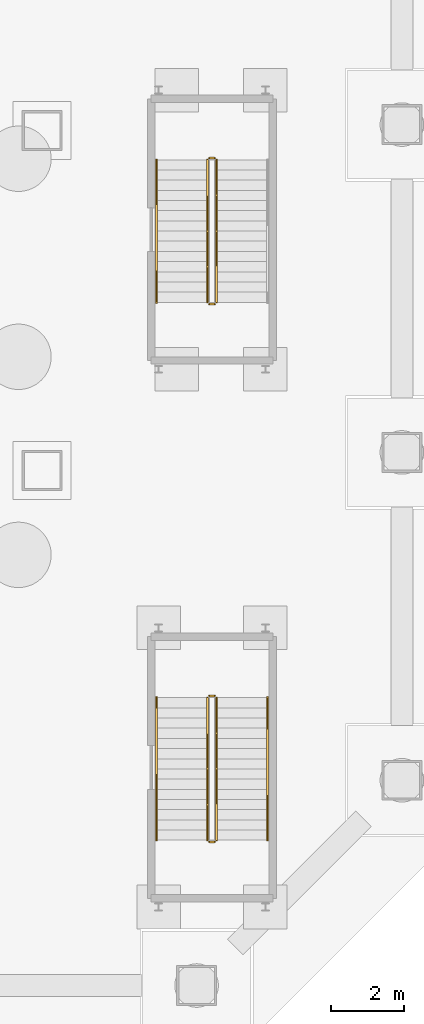
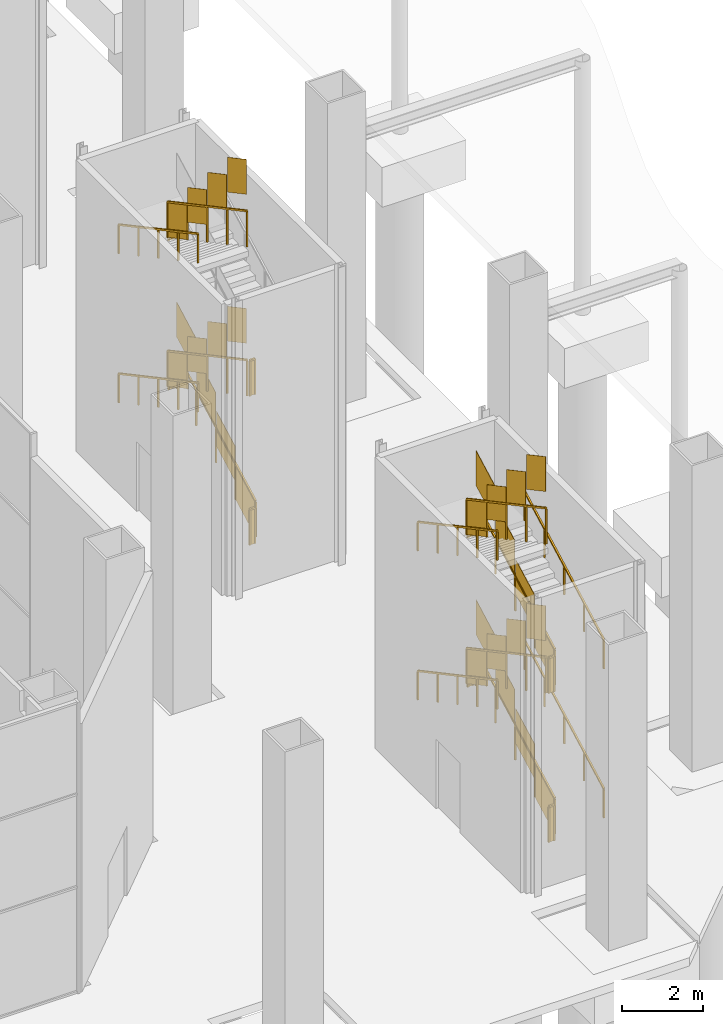
# One storey, part 35 of 38: 21 railings.
"""IFC4 building model written with IfcOpenShell, lengths in metres."""

from ifc_helpers import new_model, si_unit, direction, frame, origin, origin_2d, place, context, subcontext, project, spatial, polyline, rectangle, outline, extrude, material, type_object, element, save


model = new_model("IFC4")

# Units and contexts
model_context = context("Model", 3, precision=1e-05, world=origin(), true_north=direction((0.0, 1.0)))
body_context = subcontext(model_context, "Body", "Model", "MODEL_VIEW")
ifc_project = project(units=[si_unit("LENGTHUNIT", "METRE"), si_unit("AREAUNIT", "SQUARE_METRE"), si_unit("VOLUMEUNIT", "CUBIC_METRE"), si_unit("PLANEANGLEUNIT", "RADIAN"), si_unit("MASSUNIT", "GRAM", prefix="KILO")], contexts=[model_context])

# Site, building, storey
site_placement = place(None, origin())
site = spatial("IfcSite", under=ifc_project, at=site_placement, CompositionType="ELEMENT")
building_placement = place(site_placement, origin())
building = spatial("IfcBuilding", under=site, at=building_placement, Name="Cairn Pilgrim Tower", CompositionType="ELEMENT")
storey_placement = place(building_placement, origin())
storey = spatial("IfcBuildingStorey", under=building, at=storey_placement, Name="L00", CompositionType="ELEMENT", Elevation=0.0)

# Railings
ifc_material = material(Name="Painted steel", Category="steel")
railing_type_1 = type_object("IfcRailingType", Name="PODIUM STAIR GUARD 1100", PredefinedType="GUARDRAIL", material=ifc_material)
railing_1_placement = place(storey_placement, frame((32.699951171875, -24.199951171875, 0.14990234375)))
element("IfcRailing", 1, at=railing_1_placement, inside=storey, type_object=railing_type_1, Name="L00 ST-ES1 stair guard 1", PredefinedType="GUARDRAIL", context=body_context, shape_type="SweptSolid", body=[
    extrude(rectangle(XDim=0.048095703125, YDim=0.048095703125, at=origin_2d()), frame((0.0, 0.0, 1.076171875), z_axis=(0.0, 0.881466911329, 0.472245787945), x_axis=(-1.0, 0.0, 0.0)), (0.0, 0.0, 1.0), 4.447021484375),
    extrude(rectangle(XDim=0.0419921875, YDim=0.0419921875, at=origin_2d()), origin(), (0.0, 0.0, 1.0), 1.052001953125),
    extrude(rectangle(XDim=0.0419921875, YDim=0.0419921875, at=origin_2d()), frame((0.0, 0.97998046875, 0.52490234375)), (0.0, 0.0, 1.0), 1.052001953125),
    extrude(rectangle(XDim=0.0419921875, YDim=0.0419921875, at=origin_2d()), frame((0.0, 1.9599609375, 1.050048828125)), (0.0, 0.0, 1.0), 1.052001953125),
    extrude(rectangle(XDim=0.0419921875, YDim=0.0419921875, at=origin_2d()), frame((0.0, 2.93994140625, 1.5751953125)), (0.0, 0.0, 1.0), 1.052001953125),
    extrude(rectangle(XDim=0.0419921875, YDim=0.0419921875, at=origin_2d()), frame((0.0, 3.919921875, 2.10009765625)), (0.0, 0.0, 1.0), 1.052001953125),
    extrude(outline(polyline([(0.02099609375, 0.01123046875), (0.958984375, 0.513671875), (0.958984375, 1.565673828125), (0.02099609375, 1.063232421875), (0.02099609375, 0.01123046875)])), frame((-0.005859375, 0.0, 0.0), z_axis=(1.0, 0.0, 0.0), x_axis=(0.0, 1.0, 0.0)), (0.0, 0.0, 1.0), 0.011962890625),
    extrude(outline(polyline([(0.02099609375, 0.536376953125), (0.958984375, 1.038818359375), (0.958984375, 2.0908203125), (0.02099609375, 1.58837890625), (0.02099609375, 0.536376953125)])), frame((-0.005859375, 0.97998046875, 0.52490234375), z_axis=(1.0, 0.0, 0.0), x_axis=(0.0, 1.0, 0.0)), (0.0, 0.0, 1.0), 0.011962890625),
    extrude(outline(polyline([(0.02099609375, 1.061279296875), (0.958984375, 1.563720703125), (0.958984375, 2.61572265625), (0.02099609375, 2.11328125), (0.02099609375, 1.061279296875)])), frame((-0.005859375, 1.9599609375, 1.050048828125), z_axis=(1.0, 0.0, 0.0), x_axis=(0.0, 1.0, 0.0)), (0.0, 0.0, 1.0), 0.011962890625),
    extrude(outline(polyline([(0.02099609375, 1.58642578125), (0.958984375, 2.0888671875), (0.958984375, 3.140869140625), (0.02099609375, 2.638427734375), (0.02099609375, 1.58642578125)])), frame((-0.005859375, 2.93994140625, 1.5751953125), z_axis=(1.0, 0.0, 0.0), x_axis=(0.0, 1.0, 0.0)), (0.0, 0.0, 1.0), 0.011962890625),
])
railing_2_placement = place(storey_placement, frame((32.64990234375, -20.22998046875, 2.25)))
element("IfcRailing", 2, at=railing_2_placement, inside=storey, type_object=railing_type_1, Name="L00 ST-ES1 stair guard 2", PredefinedType="GUARDRAIL", context=body_context, shape_type="SweptSolid", body=[
    extrude(rectangle(XDim=0.048095703125, YDim=0.048095703125, at=origin_2d()), frame((0.0, 0.0, 1.076171875), z_axis=(-1.0, 0.0, 0.0), x_axis=(0.0, -1.0, 0.0)), (0.0, 0.0, 1.0), 0.14990234375),
    extrude(rectangle(XDim=0.0419921875, YDim=0.0419921875, at=origin_2d()), origin(), (0.0, 0.0, 1.0), 1.052001953125),
    extrude(rectangle(XDim=0.0419921875, YDim=0.0419921875, at=origin_2d()), frame((-0.14990234375, 0.0, 0.0)), (0.0, 0.0, 1.0), 1.052001953125),
    extrude(outline(polyline([(0.02099609375, 0.0), (0.12890625, 0.0), (0.12890625, 1.052001953125), (0.02099609375, 1.052001953125), (0.02099609375, 0.0)])), frame((0.0, -0.005859375, 0.0), z_axis=(0.0, 1.0, 0.0), x_axis=(-1.0, 0.0, 0.0)), (0.0, 0.0, 1.0), 0.011962890625),
])
railing_3_placement = place(storey_placement, frame((32.449951171875, -20.280029296875, 2.39990234375)))
element("IfcRailing", 3, at=railing_3_placement, inside=storey, type_object=railing_type_1, Name="L00 ST-ES1 stair guard 3", PredefinedType="GUARDRAIL", context=body_context, shape_type="SweptSolid", body=[
    extrude(rectangle(XDim=0.048095703125, YDim=0.048095703125, at=origin_2d()), frame((0.0, 0.0, 1.076171875), z_axis=(0.0, -0.881466911329, 0.472245787945), x_axis=(1.0, 0.0, 0.0)), (0.0, 0.0, 1.0), 4.447021484375),
    extrude(rectangle(XDim=0.0419921875, YDim=0.0419921875, at=origin_2d()), origin(), (0.0, 0.0, 1.0), 1.052001953125),
    extrude(rectangle(XDim=0.0419921875, YDim=0.0419921875, at=origin_2d()), frame((0.0, -0.97998046875, 0.52490234375)), (0.0, 0.0, 1.0), 1.052001953125),
    extrude(rectangle(XDim=0.0419921875, YDim=0.0419921875, at=origin_2d()), frame((0.0, -1.9599609375, 1.050048828125)), (0.0, 0.0, 1.0), 1.052001953125),
    extrude(rectangle(XDim=0.0419921875, YDim=0.0419921875, at=origin_2d()), frame((0.0, -2.93994140625, 1.5751953125)), (0.0, 0.0, 1.0), 1.052001953125),
    extrude(rectangle(XDim=0.0419921875, YDim=0.0419921875, at=origin_2d()), frame((0.0, -3.919921875, 2.10009765625)), (0.0, 0.0, 1.0), 1.052001953125),
    extrude(outline(polyline([(0.02099609375, 0.01123046875), (0.958984375, 0.513671875), (0.958984375, 1.565673828125), (0.02099609375, 1.063232421875), (0.02099609375, 0.01123046875)])), frame((0.005859375, 0.0, 0.0), z_axis=(-1.0, 0.0, 0.0), x_axis=(0.0, -1.0, 0.0)), (0.0, 0.0, 1.0), 0.011962890625),
    extrude(outline(polyline([(0.02099609375, 0.536376953125), (0.958984375, 1.038818359375), (0.958984375, 2.0908203125), (0.02099609375, 1.58837890625), (0.02099609375, 0.536376953125)])), frame((0.005859375, -0.97998046875, 0.52490234375), z_axis=(-1.0, 0.0, 0.0), x_axis=(0.0, -1.0, 0.0)), (0.0, 0.0, 1.0), 0.011962890625),
    extrude(outline(polyline([(0.02099609375, 1.061279296875), (0.958984375, 1.563720703125), (0.958984375, 2.61572265625), (0.02099609375, 2.11328125), (0.02099609375, 1.061279296875)])), frame((0.005859375, -1.9599609375, 1.050048828125), z_axis=(-1.0, 0.0, 0.0), x_axis=(0.0, -1.0, 0.0)), (0.0, 0.0, 1.0), 0.011962890625),
    extrude(outline(polyline([(0.02099609375, 1.58642578125), (0.958984375, 2.0888671875), (0.958984375, 3.140869140625), (0.02099609375, 2.638427734375), (0.02099609375, 1.58642578125)])), frame((0.005859375, -2.93994140625, 1.5751953125), z_axis=(-1.0, 0.0, 0.0), x_axis=(0.0, -1.0, 0.0)), (0.0, 0.0, 1.0), 0.011962890625),
])
railing_4_placement = place(storey_placement, frame((32.64990234375, -24.25, 4.5)))
element("IfcRailing", 4, at=railing_4_placement, inside=storey, type_object=railing_type_1, Name="L00 ST-ES1 stair guard 4", PredefinedType="GUARDRAIL", context=body_context, shape_type="SweptSolid", body=[
    extrude(rectangle(XDim=0.048095703125, YDim=0.048095703125, at=origin_2d()), frame((0.0, 0.0, 1.076171875), z_axis=(-1.0, 0.0, 0.0), x_axis=(0.0, -1.0, 0.0)), (0.0, 0.0, 1.0), 0.14990234375),
    extrude(rectangle(XDim=0.0419921875, YDim=0.0419921875, at=origin_2d()), origin(), (0.0, 0.0, 1.0), 1.052001953125),
    extrude(rectangle(XDim=0.0419921875, YDim=0.0419921875, at=origin_2d()), frame((-0.14990234375, 0.0, 0.0)), (0.0, 0.0, 1.0), 1.052001953125),
    extrude(outline(polyline([(0.02099609375, 0.0), (0.12890625, 0.0), (0.12890625, 1.052001953125), (0.02099609375, 1.052001953125), (0.02099609375, 0.0)])), frame((0.0, -0.005859375, 0.0), z_axis=(0.0, 1.0, 0.0), x_axis=(-1.0, 0.0, 0.0)), (0.0, 0.0, 1.0), 0.011962890625),
])
railing_5_placement = place(storey_placement, frame((32.699951171875, -24.199951171875, 4.64990234375)))
element("IfcRailing", 5, at=railing_5_placement, inside=storey, type_object=railing_type_1, Name="L00 ST-ES1 stair guard 5", PredefinedType="GUARDRAIL", context=body_context, shape_type="SweptSolid", body=[
    extrude(rectangle(XDim=0.048095703125, YDim=0.048095703125, at=origin_2d()), frame((0.0, 0.0, 1.076171875), z_axis=(0.0, 0.881466911329, 0.472245787945), x_axis=(-1.0, 0.0, 0.0)), (0.0, 0.0, 1.0), 4.447021484375),
    extrude(rectangle(XDim=0.0419921875, YDim=0.0419921875, at=origin_2d()), origin(), (0.0, 0.0, 1.0), 1.052001953125),
    extrude(rectangle(XDim=0.0419921875, YDim=0.0419921875, at=origin_2d()), frame((0.0, 0.97998046875, 0.52490234375)), (0.0, 0.0, 1.0), 1.052001953125),
    extrude(rectangle(XDim=0.0419921875, YDim=0.0419921875, at=origin_2d()), frame((0.0, 1.9599609375, 1.050048828125)), (0.0, 0.0, 1.0), 1.052001953125),
    extrude(rectangle(XDim=0.0419921875, YDim=0.0419921875, at=origin_2d()), frame((0.0, 2.93994140625, 1.5751953125)), (0.0, 0.0, 1.0), 1.052001953125),
    extrude(rectangle(XDim=0.0419921875, YDim=0.0419921875, at=origin_2d()), frame((0.0, 3.919921875, 2.10009765625)), (0.0, 0.0, 1.0), 1.052001953125),
    extrude(outline(polyline([(0.02099609375, 0.01123046875), (0.958984375, 0.513671875), (0.958984375, 1.565673828125), (0.02099609375, 1.063232421875), (0.02099609375, 0.01123046875)])), frame((-0.005859375, 0.0, 0.0), z_axis=(1.0, 0.0, 0.0), x_axis=(0.0, 1.0, 0.0)), (0.0, 0.0, 1.0), 0.011962890625),
    extrude(outline(polyline([(0.02099609375, 0.536376953125), (0.958984375, 1.038818359375), (0.958984375, 2.0908203125), (0.02099609375, 1.58837890625), (0.02099609375, 0.536376953125)])), frame((-0.005859375, 0.97998046875, 0.52490234375), z_axis=(1.0, 0.0, 0.0), x_axis=(0.0, 1.0, 0.0)), (0.0, 0.0, 1.0), 0.011962890625),
    extrude(outline(polyline([(0.02099609375, 1.061279296875), (0.958984375, 1.563720703125), (0.958984375, 2.61572265625), (0.02099609375, 2.11328125), (0.02099609375, 1.061279296875)])), frame((-0.005859375, 1.9599609375, 1.050048828125), z_axis=(1.0, 0.0, 0.0), x_axis=(0.0, 1.0, 0.0)), (0.0, 0.0, 1.0), 0.011962890625),
    extrude(outline(polyline([(0.02099609375, 1.58642578125), (0.958984375, 2.0888671875), (0.958984375, 3.140869140625), (0.02099609375, 2.638427734375), (0.02099609375, 1.58642578125)])), frame((-0.005859375, 2.93994140625, 1.5751953125), z_axis=(1.0, 0.0, 0.0), x_axis=(0.0, 1.0, 0.0)), (0.0, 0.0, 1.0), 0.011962890625),
])
railing_6_placement = place(storey_placement, frame((32.64990234375, -20.22998046875, 6.75)))
element("IfcRailing", 6, at=railing_6_placement, inside=storey, type_object=railing_type_1, Name="L00 ST-ES1 stair guard 6", PredefinedType="GUARDRAIL", context=body_context, shape_type="SweptSolid", body=[
    extrude(rectangle(XDim=0.048095703125, YDim=0.048095703125, at=origin_2d()), frame((0.0, 0.0, 1.076171875), z_axis=(-1.0, 0.0, 0.0), x_axis=(0.0, -1.0, 0.0)), (0.0, 0.0, 1.0), 0.14990234375),
    extrude(rectangle(XDim=0.0419921875, YDim=0.0419921875, at=origin_2d()), origin(), (0.0, 0.0, 1.0), 1.052001953125),
    extrude(rectangle(XDim=0.0419921875, YDim=0.0419921875, at=origin_2d()), frame((-0.14990234375, 0.0, 0.0)), (0.0, 0.0, 1.0), 1.052001953125),
    extrude(outline(polyline([(0.02099609375, 0.0), (0.12890625, 0.0), (0.12890625, 1.052001953125), (0.02099609375, 1.052001953125), (0.02099609375, 0.0)])), frame((0.0, -0.005859375, 0.0), z_axis=(0.0, 1.0, 0.0), x_axis=(-1.0, 0.0, 0.0)), (0.0, 0.0, 1.0), 0.011962890625),
])
railing_7_placement = place(storey_placement, frame((32.449951171875, -20.280029296875, 6.89990234375)))
element("IfcRailing", 7, at=railing_7_placement, inside=storey, type_object=railing_type_1, Name="L00 ST-ES1 stair guard 7", PredefinedType="GUARDRAIL", context=body_context, shape_type="SweptSolid", body=[
    extrude(rectangle(XDim=0.048095703125, YDim=0.048095703125, at=origin_2d()), frame((0.0, 0.0, 1.076171875), z_axis=(0.0, -0.881466911329, 0.472245787945), x_axis=(1.0, 0.0, 0.0)), (0.0, 0.0, 1.0), 4.447021484375),
    extrude(rectangle(XDim=0.0419921875, YDim=0.0419921875, at=origin_2d()), origin(), (0.0, 0.0, 1.0), 1.052001953125),
    extrude(rectangle(XDim=0.0419921875, YDim=0.0419921875, at=origin_2d()), frame((0.0, -0.97998046875, 0.52490234375)), (0.0, 0.0, 1.0), 1.052001953125),
    extrude(rectangle(XDim=0.0419921875, YDim=0.0419921875, at=origin_2d()), frame((0.0, -1.9599609375, 1.050048828125)), (0.0, 0.0, 1.0), 1.052001953125),
    extrude(rectangle(XDim=0.0419921875, YDim=0.0419921875, at=origin_2d()), frame((0.0, -2.93994140625, 1.5751953125)), (0.0, 0.0, 1.0), 1.052001953125),
    extrude(rectangle(XDim=0.0419921875, YDim=0.0419921875, at=origin_2d()), frame((0.0, -3.919921875, 2.10009765625)), (0.0, 0.0, 1.0), 1.052001953125),
    extrude(outline(polyline([(0.02099609375, 0.01123046875), (0.958984375, 0.513671875), (0.958984375, 1.565673828125), (0.02099609375, 1.063232421875), (0.02099609375, 0.01123046875)])), frame((0.005859375, 0.0, 0.0), z_axis=(-1.0, 0.0, 0.0), x_axis=(0.0, -1.0, 0.0)), (0.0, 0.0, 1.0), 0.011962890625),
    extrude(outline(polyline([(0.02099609375, 0.536376953125), (0.958984375, 1.038818359375), (0.958984375, 2.0908203125), (0.02099609375, 1.58837890625), (0.02099609375, 0.536376953125)])), frame((0.005859375, -0.97998046875, 0.52490234375), z_axis=(-1.0, 0.0, 0.0), x_axis=(0.0, -1.0, 0.0)), (0.0, 0.0, 1.0), 0.011962890625),
    extrude(outline(polyline([(0.02099609375, 1.061279296875), (0.958984375, 1.563720703125), (0.958984375, 2.61572265625), (0.02099609375, 2.11328125), (0.02099609375, 1.061279296875)])), frame((0.005859375, -1.9599609375, 1.050048828125), z_axis=(-1.0, 0.0, 0.0), x_axis=(0.0, -1.0, 0.0)), (0.0, 0.0, 1.0), 0.011962890625),
    extrude(outline(polyline([(0.02099609375, 1.58642578125), (0.958984375, 2.0888671875), (0.958984375, 3.140869140625), (0.02099609375, 2.638427734375), (0.02099609375, 1.58642578125)])), frame((0.005859375, -2.93994140625, 1.5751953125), z_axis=(-1.0, 0.0, 0.0), x_axis=(0.0, -1.0, 0.0)), (0.0, 0.0, 1.0), 0.011962890625),
])
railing_8_placement = place(storey_placement, frame((32.64990234375, -24.25, 0.0)))
element("IfcRailing", 8, at=railing_8_placement, inside=storey, type_object=railing_type_1, Name="L00 ST-ES1 stair guard 8", PredefinedType="GUARDRAIL", context=body_context, shape_type="SweptSolid", body=[
    extrude(rectangle(XDim=0.048095703125, YDim=0.048095703125, at=origin_2d()), frame((0.0, 0.0, 1.076171875), z_axis=(-1.0, 0.0, 0.0), x_axis=(0.0, -1.0, 0.0)), (0.0, 0.0, 1.0), 0.14990234375),
    extrude(rectangle(XDim=0.0419921875, YDim=0.0419921875, at=origin_2d()), origin(), (0.0, 0.0, 1.0), 1.052001953125),
    extrude(rectangle(XDim=0.0419921875, YDim=0.0419921875, at=origin_2d()), frame((-0.14990234375, 0.0, 0.0)), (0.0, 0.0, 1.0), 1.052001953125),
    extrude(outline(polyline([(0.02099609375, 0.0), (0.12890625, 0.0), (0.12890625, 1.052001953125), (0.02099609375, 1.052001953125), (0.02099609375, 0.0)])), frame((0.0, -0.005859375, 0.0), z_axis=(0.0, 1.0, 0.0), x_axis=(-1.0, 0.0, 0.0)), (0.0, 0.0, 1.0), 0.011962890625),
])
railing_9_placement = place(storey_placement, frame((32.699951171875, -9.39990234375, 0.14990234375)))
element("IfcRailing", 9, at=railing_9_placement, inside=storey, type_object=railing_type_1, Name="L00 ST-ES2 stair guard 1", PredefinedType="GUARDRAIL", context=body_context, shape_type="SweptSolid", body=[
    extrude(rectangle(XDim=0.048095703125, YDim=0.048095703125, at=origin_2d()), frame((0.0, 0.0, 1.076171875), z_axis=(0.0, 0.881466911329, 0.472245787945), x_axis=(-1.0, 0.0, 0.0)), (0.0, 0.0, 1.0), 4.447021484375),
    extrude(rectangle(XDim=0.0419921875, YDim=0.0419921875, at=origin_2d()), origin(), (0.0, 0.0, 1.0), 1.052001953125),
    extrude(rectangle(XDim=0.0419921875, YDim=0.0419921875, at=origin_2d()), frame((0.0, 0.97998046875, 0.52490234375)), (0.0, 0.0, 1.0), 1.052001953125),
    extrude(rectangle(XDim=0.0419921875, YDim=0.0419921875, at=origin_2d()), frame((0.0, 1.9599609375, 1.050048828125)), (0.0, 0.0, 1.0), 1.052001953125),
    extrude(rectangle(XDim=0.0419921875, YDim=0.0419921875, at=origin_2d()), frame((0.0, 2.93994140625, 1.5751953125)), (0.0, 0.0, 1.0), 1.052001953125),
    extrude(rectangle(XDim=0.0419921875, YDim=0.0419921875, at=origin_2d()), frame((0.0, 3.919921875, 2.10009765625)), (0.0, 0.0, 1.0), 1.052001953125),
    extrude(outline(polyline([(0.02099609375, 0.01123046875), (0.958984375, 0.513671875), (0.958984375, 1.565673828125), (0.02099609375, 1.063232421875), (0.02099609375, 0.01123046875)])), frame((-0.005859375, 0.0, 0.0), z_axis=(1.0, 0.0, 0.0), x_axis=(0.0, 1.0, 0.0)), (0.0, 0.0, 1.0), 0.011962890625),
    extrude(outline(polyline([(0.02099609375, 0.536376953125), (0.958984375, 1.038818359375), (0.958984375, 2.0908203125), (0.02099609375, 1.58837890625), (0.02099609375, 0.536376953125)])), frame((-0.005859375, 0.97998046875, 0.52490234375), z_axis=(1.0, 0.0, 0.0), x_axis=(0.0, 1.0, 0.0)), (0.0, 0.0, 1.0), 0.011962890625),
    extrude(outline(polyline([(0.02099609375, 1.061279296875), (0.958984375, 1.563720703125), (0.958984375, 2.61572265625), (0.02099609375, 2.11328125), (0.02099609375, 1.061279296875)])), frame((-0.005859375, 1.9599609375, 1.050048828125), z_axis=(1.0, 0.0, 0.0), x_axis=(0.0, 1.0, 0.0)), (0.0, 0.0, 1.0), 0.011962890625),
    extrude(outline(polyline([(0.02099609375, 1.58642578125), (0.958984375, 2.0888671875), (0.958984375, 3.140869140625), (0.02099609375, 2.638427734375), (0.02099609375, 1.58642578125)])), frame((-0.005859375, 2.93994140625, 1.5751953125), z_axis=(1.0, 0.0, 0.0), x_axis=(0.0, 1.0, 0.0)), (0.0, 0.0, 1.0), 0.011962890625),
])
railing_10_placement = place(storey_placement, frame((32.64990234375, -5.429931640625, 2.25)))
element("IfcRailing", 10, at=railing_10_placement, inside=storey, type_object=railing_type_1, Name="L00 ST-ES2 stair guard 2", PredefinedType="GUARDRAIL", context=body_context, shape_type="SweptSolid", body=[
    extrude(rectangle(XDim=0.048095703125, YDim=0.048095703125, at=origin_2d()), frame((0.0, 0.0, 1.076171875), z_axis=(-1.0, 0.0, 0.0), x_axis=(0.0, -1.0, 0.0)), (0.0, 0.0, 1.0), 0.14990234375),
    extrude(rectangle(XDim=0.0419921875, YDim=0.0419921875, at=origin_2d()), origin(), (0.0, 0.0, 1.0), 1.052001953125),
    extrude(rectangle(XDim=0.0419921875, YDim=0.0419921875, at=origin_2d()), frame((-0.14990234375, 0.0, 0.0)), (0.0, 0.0, 1.0), 1.052001953125),
    extrude(outline(polyline([(0.02099609375, 0.0), (0.12890625, 0.0), (0.12890625, 1.052001953125), (0.02099609375, 1.052001953125), (0.02099609375, 0.0)])), frame((0.0, -0.005859375, 0.0), z_axis=(0.0, 1.0, 0.0), x_axis=(-1.0, 0.0, 0.0)), (0.0, 0.0, 1.0), 0.011962890625),
])
railing_11_placement = place(storey_placement, frame((32.449951171875, -5.47998046875, 2.39990234375)))
element("IfcRailing", 11, at=railing_11_placement, inside=storey, type_object=railing_type_1, Name="L00 ST-ES2 stair guard 3", PredefinedType="GUARDRAIL", context=body_context, shape_type="SweptSolid", body=[
    extrude(rectangle(XDim=0.048095703125, YDim=0.048095703125, at=origin_2d()), frame((0.0, 0.0, 1.076171875), z_axis=(0.0, -0.881466911329, 0.472245787945), x_axis=(1.0, 0.0, 0.0)), (0.0, 0.0, 1.0), 4.447021484375),
    extrude(rectangle(XDim=0.0419921875, YDim=0.0419921875, at=origin_2d()), origin(), (0.0, 0.0, 1.0), 1.052001953125),
    extrude(rectangle(XDim=0.0419921875, YDim=0.0419921875, at=origin_2d()), frame((0.0, -0.97998046875, 0.52490234375)), (0.0, 0.0, 1.0), 1.052001953125),
    extrude(rectangle(XDim=0.0419921875, YDim=0.0419921875, at=origin_2d()), frame((0.0, -1.9599609375, 1.050048828125)), (0.0, 0.0, 1.0), 1.052001953125),
    extrude(rectangle(XDim=0.0419921875, YDim=0.0419921875, at=origin_2d()), frame((0.0, -2.93994140625, 1.5751953125)), (0.0, 0.0, 1.0), 1.052001953125),
    extrude(rectangle(XDim=0.0419921875, YDim=0.0419921875, at=origin_2d()), frame((0.0, -3.919921875, 2.10009765625)), (0.0, 0.0, 1.0), 1.052001953125),
    extrude(outline(polyline([(0.02099609375, 0.01123046875), (0.958984375, 0.513671875), (0.958984375, 1.565673828125), (0.02099609375, 1.063232421875), (0.02099609375, 0.01123046875)])), frame((0.005859375, 0.0, 0.0), z_axis=(-1.0, 0.0, 0.0), x_axis=(0.0, -1.0, 0.0)), (0.0, 0.0, 1.0), 0.011962890625),
    extrude(outline(polyline([(0.02099609375, 0.536376953125), (0.958984375, 1.038818359375), (0.958984375, 2.0908203125), (0.02099609375, 1.58837890625), (0.02099609375, 0.536376953125)])), frame((0.005859375, -0.97998046875, 0.52490234375), z_axis=(-1.0, 0.0, 0.0), x_axis=(0.0, -1.0, 0.0)), (0.0, 0.0, 1.0), 0.011962890625),
    extrude(outline(polyline([(0.02099609375, 1.061279296875), (0.958984375, 1.563720703125), (0.958984375, 2.61572265625), (0.02099609375, 2.11328125), (0.02099609375, 1.061279296875)])), frame((0.005859375, -1.9599609375, 1.050048828125), z_axis=(-1.0, 0.0, 0.0), x_axis=(0.0, -1.0, 0.0)), (0.0, 0.0, 1.0), 0.011962890625),
    extrude(outline(polyline([(0.02099609375, 1.58642578125), (0.958984375, 2.0888671875), (0.958984375, 3.140869140625), (0.02099609375, 2.638427734375), (0.02099609375, 1.58642578125)])), frame((0.005859375, -2.93994140625, 1.5751953125), z_axis=(-1.0, 0.0, 0.0), x_axis=(0.0, -1.0, 0.0)), (0.0, 0.0, 1.0), 0.011962890625),
])
for number, where, name in (
    (12, (32.64990234375, -9.449951171875, 4.5), "L00 ST-ES2 stair guard 4"),
    (13, (32.64990234375, -5.429931640625, 6.75), "L00 ST-ES2 stair guard 6"),
):
    element("IfcRailing", number, at=place(storey_placement, frame(where)), inside=storey, type_object=railing_type_1, Name=name, PredefinedType="GUARDRAIL", context=body_context, shape_type="SweptSolid", body=[
        extrude(rectangle(XDim=0.048095703125, YDim=0.048095703125, at=origin_2d()), frame((0.0, 0.0, 1.076171875), z_axis=(-1.0, 0.0, 0.0), x_axis=(0.0, -1.0, 0.0)), (0.0, 0.0, 1.0), 0.14990234375),
        extrude(rectangle(XDim=0.0419921875, YDim=0.0419921875, at=origin_2d()), origin(), (0.0, 0.0, 1.0), 1.052001953125),
        extrude(rectangle(XDim=0.0419921875, YDim=0.0419921875, at=origin_2d()), frame((-0.14990234375, 0.0, 0.0)), (0.0, 0.0, 1.0), 1.052001953125),
        extrude(outline(polyline([(0.02099609375, 0.0), (0.12890625, 0.0), (0.12890625, 1.052001953125), (0.02099609375, 1.052001953125), (0.02099609375, 0.0)])), frame((0.0, -0.005859375, 0.0), z_axis=(0.0, 1.0, 0.0), x_axis=(-1.0, 0.0, 0.0)), (0.0, 0.0, 1.0), 0.011962890625),
    ])
railing_12_placement = place(storey_placement, frame((32.449951171875, -5.47998046875, 6.89990234375)))
element("IfcRailing", 14, at=railing_12_placement, inside=storey, type_object=railing_type_1, Name="L00 ST-ES2 stair guard 7", PredefinedType="GUARDRAIL", context=body_context, shape_type="SweptSolid", body=[
    extrude(rectangle(XDim=0.048095703125, YDim=0.048095703125, at=origin_2d()), frame((0.0, 0.0, 1.076171875), z_axis=(0.0, -0.881466911329, 0.472245787945), x_axis=(1.0, 0.0, 0.0)), (0.0, 0.0, 1.0), 4.447021484375),
    extrude(rectangle(XDim=0.0419921875, YDim=0.0419921875, at=origin_2d()), origin(), (0.0, 0.0, 1.0), 1.052001953125),
    extrude(rectangle(XDim=0.0419921875, YDim=0.0419921875, at=origin_2d()), frame((0.0, -0.97998046875, 0.52490234375)), (0.0, 0.0, 1.0), 1.052001953125),
    extrude(rectangle(XDim=0.0419921875, YDim=0.0419921875, at=origin_2d()), frame((0.0, -1.9599609375, 1.050048828125)), (0.0, 0.0, 1.0), 1.052001953125),
    extrude(rectangle(XDim=0.0419921875, YDim=0.0419921875, at=origin_2d()), frame((0.0, -2.93994140625, 1.5751953125)), (0.0, 0.0, 1.0), 1.052001953125),
    extrude(rectangle(XDim=0.0419921875, YDim=0.0419921875, at=origin_2d()), frame((0.0, -3.919921875, 2.10009765625)), (0.0, 0.0, 1.0), 1.052001953125),
    extrude(outline(polyline([(0.02099609375, 0.01123046875), (0.958984375, 0.513671875), (0.958984375, 1.565673828125), (0.02099609375, 1.063232421875), (0.02099609375, 0.01123046875)])), frame((0.005859375, 0.0, 0.0), z_axis=(-1.0, 0.0, 0.0), x_axis=(0.0, -1.0, 0.0)), (0.0, 0.0, 1.0), 0.011962890625),
    extrude(outline(polyline([(0.02099609375, 0.536376953125), (0.958984375, 1.038818359375), (0.958984375, 2.0908203125), (0.02099609375, 1.58837890625), (0.02099609375, 0.536376953125)])), frame((0.005859375, -0.97998046875, 0.52490234375), z_axis=(-1.0, 0.0, 0.0), x_axis=(0.0, -1.0, 0.0)), (0.0, 0.0, 1.0), 0.011962890625),
    extrude(outline(polyline([(0.02099609375, 1.061279296875), (0.958984375, 1.563720703125), (0.958984375, 2.61572265625), (0.02099609375, 2.11328125), (0.02099609375, 1.061279296875)])), frame((0.005859375, -1.9599609375, 1.050048828125), z_axis=(-1.0, 0.0, 0.0), x_axis=(0.0, -1.0, 0.0)), (0.0, 0.0, 1.0), 0.011962890625),
    extrude(outline(polyline([(0.02099609375, 1.58642578125), (0.958984375, 2.0888671875), (0.958984375, 3.140869140625), (0.02099609375, 2.638427734375), (0.02099609375, 1.58642578125)])), frame((0.005859375, -2.93994140625, 1.5751953125), z_axis=(-1.0, 0.0, 0.0), x_axis=(0.0, -1.0, 0.0)), (0.0, 0.0, 1.0), 0.011962890625),
])
railing_13_placement = place(storey_placement, frame((32.64990234375, -9.449951171875, 0.0)))
element("IfcRailing", 15, at=railing_13_placement, inside=storey, type_object=railing_type_1, Name="L00 ST-ES2 stair guard 8", PredefinedType="GUARDRAIL", context=body_context, shape_type="SweptSolid", body=[
    extrude(rectangle(XDim=0.048095703125, YDim=0.048095703125, at=origin_2d()), frame((0.0, 0.0, 1.076171875), z_axis=(-1.0, 0.0, 0.0), x_axis=(0.0, -1.0, 0.0)), (0.0, 0.0, 1.0), 0.14990234375),
    extrude(rectangle(XDim=0.0419921875, YDim=0.0419921875, at=origin_2d()), origin(), (0.0, 0.0, 1.0), 1.052001953125),
    extrude(rectangle(XDim=0.0419921875, YDim=0.0419921875, at=origin_2d()), frame((-0.14990234375, 0.0, 0.0)), (0.0, 0.0, 1.0), 1.052001953125),
    extrude(outline(polyline([(0.02099609375, 0.0), (0.12890625, 0.0), (0.12890625, 1.052001953125), (0.02099609375, 1.052001953125), (0.02099609375, 0.0)])), frame((0.0, -0.005859375, 0.0), z_axis=(0.0, 1.0, 0.0), x_axis=(-1.0, 0.0, 0.0)), (0.0, 0.0, 1.0), 0.011962890625),
])
railing_type_2 = type_object("IfcRailingType", Name="PODIUM STAIR HANDRAIL 900", PredefinedType="HANDRAIL", material=ifc_material)
railing_14_placement = place(storey_placement, frame((34.10009765625, -24.199951171875, 0.14990234375)))
element("IfcRailing", 16, at=railing_14_placement, inside=storey, type_object=railing_type_2, Name="L00 ST-ES1 stair handrail 1", PredefinedType="HANDRAIL", context=body_context, shape_type="SweptSolid", body=[
    extrude(rectangle(XDim=0.048095703125, YDim=0.048095703125, at=origin_2d()), frame((0.0, 0.0, 0.8759765625), z_axis=(0.0, 0.881466911329, 0.472245787945), x_axis=(-1.0, 0.0, 0.0)), (0.0, 0.0, 1.0), 4.447021484375),
    extrude(rectangle(XDim=0.0419921875, YDim=0.0419921875, at=origin_2d()), origin(), (0.0, 0.0, 1.0), 0.851806640625),
    extrude(rectangle(XDim=0.0419921875, YDim=0.0419921875, at=origin_2d()), frame((0.0, 0.97998046875, 0.52490234375)), (0.0, 0.0, 1.0), 0.851806640625),
    extrude(rectangle(XDim=0.0419921875, YDim=0.0419921875, at=origin_2d()), frame((0.0, 1.9599609375, 1.050048828125)), (0.0, 0.0, 1.0), 0.851806640625),
    extrude(rectangle(XDim=0.0419921875, YDim=0.0419921875, at=origin_2d()), frame((0.0, 2.93994140625, 1.5751953125)), (0.0, 0.0, 1.0), 0.851806640625),
    extrude(rectangle(XDim=0.0419921875, YDim=0.0419921875, at=origin_2d()), frame((0.0, 3.919921875, 2.10009765625)), (0.0, 0.0, 1.0), 0.851806640625),
])
railing_15_placement = place(storey_placement, frame((31.050048828125, -20.280029296875, 2.39990234375)))
element("IfcRailing", 17, at=railing_15_placement, inside=storey, type_object=railing_type_2, Name="L00 ST-ES1 stair handrail 2", PredefinedType="HANDRAIL", context=body_context, shape_type="SweptSolid", body=[
    extrude(rectangle(XDim=0.048095703125, YDim=0.048095703125, at=origin_2d()), frame((0.0, 0.0, 0.8759765625), z_axis=(0.0, -0.881466911329, 0.472245787945), x_axis=(1.0, 0.0, 0.0)), (0.0, 0.0, 1.0), 4.447021484375),
    extrude(rectangle(XDim=0.0419921875, YDim=0.0419921875, at=origin_2d()), origin(), (0.0, 0.0, 1.0), 0.851806640625),
    extrude(rectangle(XDim=0.0419921875, YDim=0.0419921875, at=origin_2d()), frame((0.0, -0.97998046875, 0.52490234375)), (0.0, 0.0, 1.0), 0.851806640625),
    extrude(rectangle(XDim=0.0419921875, YDim=0.0419921875, at=origin_2d()), frame((0.0, -1.9599609375, 1.050048828125)), (0.0, 0.0, 1.0), 0.851806640625),
    extrude(rectangle(XDim=0.0419921875, YDim=0.0419921875, at=origin_2d()), frame((0.0, -2.93994140625, 1.5751953125)), (0.0, 0.0, 1.0), 0.851806640625),
    extrude(rectangle(XDim=0.0419921875, YDim=0.0419921875, at=origin_2d()), frame((0.0, -3.919921875, 2.10009765625)), (0.0, 0.0, 1.0), 0.851806640625),
])
railing_16_placement = place(storey_placement, frame((34.10009765625, -24.199951171875, 4.64990234375)))
element("IfcRailing", 18, at=railing_16_placement, inside=storey, type_object=railing_type_2, Name="L00 ST-ES1 stair handrail 3", PredefinedType="HANDRAIL", context=body_context, shape_type="SweptSolid", body=[
    extrude(rectangle(XDim=0.048095703125, YDim=0.048095703125, at=origin_2d()), frame((0.0, 0.0, 0.8759765625), z_axis=(0.0, 0.881466911329, 0.472245787945), x_axis=(-1.0, 0.0, 0.0)), (0.0, 0.0, 1.0), 4.447021484375),
    extrude(rectangle(XDim=0.0419921875, YDim=0.0419921875, at=origin_2d()), origin(), (0.0, 0.0, 1.0), 0.851806640625),
    extrude(rectangle(XDim=0.0419921875, YDim=0.0419921875, at=origin_2d()), frame((0.0, 0.97998046875, 0.52490234375)), (0.0, 0.0, 1.0), 0.851806640625),
    extrude(rectangle(XDim=0.0419921875, YDim=0.0419921875, at=origin_2d()), frame((0.0, 1.9599609375, 1.050048828125)), (0.0, 0.0, 1.0), 0.851806640625),
    extrude(rectangle(XDim=0.0419921875, YDim=0.0419921875, at=origin_2d()), frame((0.0, 2.93994140625, 1.5751953125)), (0.0, 0.0, 1.0), 0.851806640625),
    extrude(rectangle(XDim=0.0419921875, YDim=0.0419921875, at=origin_2d()), frame((0.0, 3.919921875, 2.10009765625)), (0.0, 0.0, 1.0), 0.851806640625),
])
for number, where, name in (
    (19, (31.050048828125, -20.280029296875, 6.89990234375), "L00 ST-ES1 stair handrail 4"),
    (20, (31.050048828125, -5.47998046875, 2.39990234375), "L00 ST-ES2 stair handrail 2"),
    (21, (31.050048828125, -5.47998046875, 6.89990234375), "L00 ST-ES2 stair handrail 4"),
):
    element("IfcRailing", number, at=place(storey_placement, frame(where)), inside=storey, type_object=railing_type_2, Name=name, PredefinedType="HANDRAIL", context=body_context, shape_type="SweptSolid", body=[
        extrude(rectangle(XDim=0.048095703125, YDim=0.048095703125, at=origin_2d()), frame((0.0, 0.0, 0.8759765625), z_axis=(0.0, -0.881466911329, 0.472245787945), x_axis=(1.0, 0.0, 0.0)), (0.0, 0.0, 1.0), 4.447021484375),
        extrude(rectangle(XDim=0.0419921875, YDim=0.0419921875, at=origin_2d()), origin(), (0.0, 0.0, 1.0), 0.851806640625),
        extrude(rectangle(XDim=0.0419921875, YDim=0.0419921875, at=origin_2d()), frame((0.0, -0.97998046875, 0.52490234375)), (0.0, 0.0, 1.0), 0.851806640625),
        extrude(rectangle(XDim=0.0419921875, YDim=0.0419921875, at=origin_2d()), frame((0.0, -1.9599609375, 1.050048828125)), (0.0, 0.0, 1.0), 0.851806640625),
        extrude(rectangle(XDim=0.0419921875, YDim=0.0419921875, at=origin_2d()), frame((0.0, -2.93994140625, 1.5751953125)), (0.0, 0.0, 1.0), 0.851806640625),
        extrude(rectangle(XDim=0.0419921875, YDim=0.0419921875, at=origin_2d()), frame((0.0, -3.919921875, 2.10009765625)), (0.0, 0.0, 1.0), 0.851806640625),
    ])

save(model, "model.ifc")
